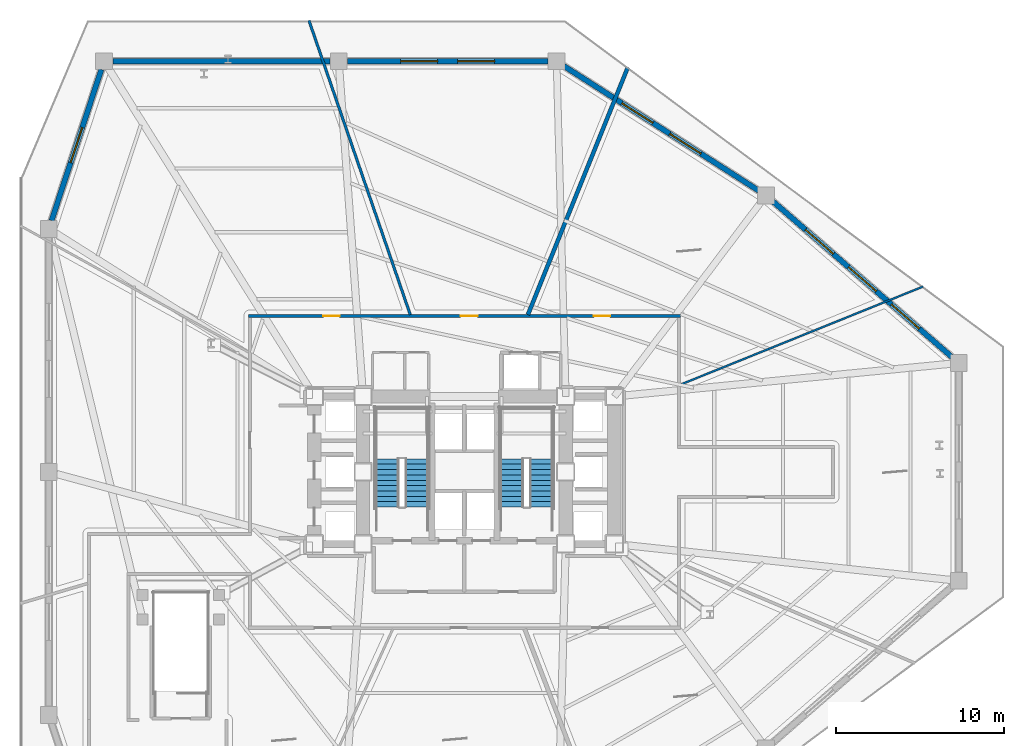
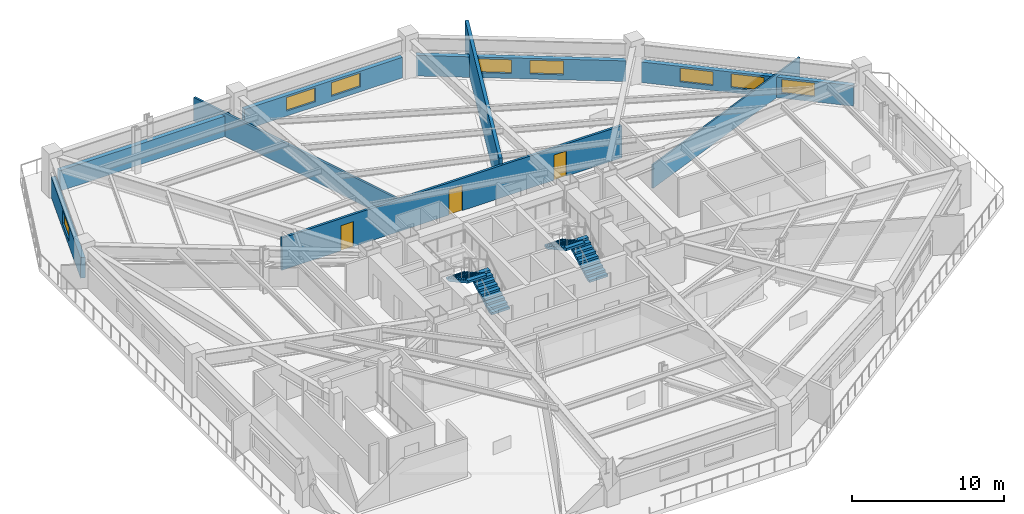
# One storey, part 6 of 10: 9 walls, 8 windows, 4 stair flights, 3 doors, 11 openings, 2 elements without a shape of their own.
"""IFC4 building model written with IfcOpenShell, lengths in metres."""

from ifc_helpers import new_model, si_unit, direction, frame, frame_2d, origin, place, context, subcontext, project, spatial, polyline, rectangle, outline, extrude, material, layer, layer_set, type_object, element, fill, aggregate, save


model = new_model("IFC4")

# Units and contexts
model_context = context("Model", 3, precision=1e-05, world=origin(), true_north=direction((0.0, 1.0)))
body_context = subcontext(model_context, "Body", "Model", "MODEL_VIEW")
ifc_project = project(units=[si_unit("LENGTHUNIT", "METRE"), si_unit("AREAUNIT", "SQUARE_METRE"), si_unit("VOLUMEUNIT", "CUBIC_METRE"), si_unit("PLANEANGLEUNIT", "RADIAN"), si_unit("MASSUNIT", "GRAM", prefix="KILO")], contexts=[model_context])

# Site, building, storey
site_placement = place(None, origin())
site = spatial("IfcSite", under=ifc_project, at=site_placement, CompositionType="ELEMENT")
building_placement = place(site_placement, origin())
building = spatial("IfcBuilding", under=site, at=building_placement, Name="Rocaltana Carrier Exchange", CompositionType="ELEMENT")
storey_placement = place(building_placement, frame((0.0, 0.0, 15.360107421875)))
storey = spatial("IfcBuildingStorey", under=building, at=storey_placement, Name="L05", CompositionType="ELEMENT", Elevation=15.360107421875)

# Wall
ifc_material_1 = material(Name="Double Acoustic Gypsum Partition", Category="gypsum")
ifc_layer_1 = layer(ifc_material_1, 0.159912109375)
ifc_layer_set_1 = layer_set([ifc_layer_1], Name="Double Acoustic Gypsum Partition")
wall_type_1 = type_object("IfcWallType", Name="Acoustic Studio Partition 160 EI60", PredefinedType="PARTITIONING", material=ifc_layer_set_1)
wall_1_placement = place(storey_placement, frame((-3.229736328125, 9.3798828125, 0.0), z_axis=(0.0, 0.0, 1.0), x_axis=(-0.325566886221, 0.945519012287, 0.0)))
element("IfcWall", 1, at=wall_1_placement, inside=storey, type_object=wall_type_1, Name="L05 Suite Divider Wall D7", PredefinedType="PARTITIONING", context=body_context, shape_type="SweptSolid", body=[
    extrude(rectangle(XDim=18.57177734375, YDim=0.159912109375, at=frame_2d((9.285888671875, 0.0))), origin(), (0.0, 0.0, 1.0), 1.892822265625),
])

# Wall, openings, doors
ifc_material_2 = material(Name="Gypsum & Steel Stud Partition", Category="steel")
ifc_layer_2 = layer(ifc_material_2, 0.179931640625)
ifc_layer_set_2 = layer_set([ifc_layer_2], Name="Gypsum & Steel Stud Partition")
wall_type_2 = type_object("IfcWallType", Name="Corridor Fire Partition 180 EI60", PredefinedType="PARTITIONING", material=ifc_layer_set_2)
wall_2_placement = place(storey_placement, frame((-12.889892578125, 9.300048828125, 0.0), z_axis=(0.0, 0.0, 1.0), x_axis=(1.0, 0.0, 0.0)))
wall_2 = element("IfcWall", 2, at=wall_2_placement, inside=storey, type_object=wall_type_2, Name="L05 Corridor Partition 8", PredefinedType="PARTITIONING", context=body_context, shape_type="SweptSolid", body=[
    extrude(rectangle(XDim=25.77978515625, YDim=0.179931640625, at=frame_2d((12.889892578125, 0.0))), origin(), (0.0, 0.0, 1.0), 2.5869140625),
])
opening_1_placement = place(wall_2_placement, frame((20.622802734375, 0.0, 0.0)))
opening_1 = element("IfcOpeningElement", 3, at=opening_1_placement, cuts=wall_2, Name="Opening D-RM098", PredefinedType="OPENING", context=body_context, shape_type="SweptSolid", body=[
    extrude(rectangle(XDim=0.9599609375, YDim=2.02001953125, at=frame_2d((0.47998046875, 1.010009765625))), frame((0.0, 0.099853515625, 0.0), z_axis=(0.0, -1.0, 0.0), x_axis=(1.0, 0.0, 0.0)), (0.0, 0.0, 1.0), 0.199951171875),
])
opening_2_placement = place(wall_2_placement, frame((12.660400390625, 0.0, 0.0)))
opening_2 = element("IfcOpeningElement", 4, at=opening_2_placement, cuts=wall_2, Name="Opening D-LB104", PredefinedType="OPENING", context=body_context, shape_type="SweptSolid", body=[
    extrude(rectangle(XDim=1.02001953125, YDim=2.02001953125, at=frame_2d((0.510009765625, 1.010009765625))), frame((0.0, 0.099853515625, 0.0), z_axis=(0.0, -1.0, 0.0), x_axis=(1.0, 0.0, 0.0)), (0.0, 0.0, 1.0), 0.199951171875),
])
opening_3_placement = place(wall_2_placement, frame((4.47802734375, 0.0, 0.0)))
opening_3 = element("IfcOpeningElement", 5, at=opening_3_placement, cuts=wall_2, Name="Opening D-RM098", PredefinedType="OPENING", context=body_context, shape_type="SweptSolid", body=[
    extrude(rectangle(XDim=0.9599609375, YDim=2.02001953125, at=frame_2d((0.47998046875, 1.010009765625))), frame((0.0, 0.099853515625, 0.0), z_axis=(0.0, -1.0, 0.0), x_axis=(1.0, 0.0, 0.0)), (0.0, 0.0, 1.0), 0.199951171875),
])
ifc_material_3 = material(Name="Powder-Coated Aluminium 6063-T6", Category="aluminium")
door_type_1 = type_object("IfcDoorType", Name="Laboratory Acoustic Door 1020x2020", OperationType="NOTDEFINED", PredefinedType="DOOR", material=ifc_material_3)
door_1_placement = place(opening_2_placement, origin())
door_1 = element("IfcDoor", 6, at=door_1_placement, inside=storey, type_object=door_type_1, Name="L05 Optical Switching Laboratory Entrance Door", OperationType="SINGLE_SWING_LEFT", OverallHeight=2.02001953125, OverallWidth=1.02001953125, PredefinedType="DOOR", context=body_context, shape_type="SweptSolid", body=[
    extrude(rectangle(XDim=1.02001953125, YDim=2.02001953125, at=frame_2d((0.510009765625, 1.010009765625))), frame((0.0, 0.02490234375, 0.0), z_axis=(0.0, -1.0, 0.0), x_axis=(1.0, 0.0, 0.0)), (0.0, 0.0, 1.0), 0.050048828125),
])
fill(opening_2, door_1)
ifc_material_4 = material(Name="Engineered Hardwood Timber", Category="wood")
door_type_2 = type_object("IfcDoorType", Name="Workspace Single Door 960x2020", OperationType="NOTDEFINED", PredefinedType="DOOR", material=ifc_material_4)
door_2_placement = place(opening_1_placement, origin())
door_2 = element("IfcDoor", 7, at=door_2_placement, inside=storey, type_object=door_type_2, Name="L05 Peering Conference Room Entrance Door", OperationType="SINGLE_SWING_RIGHT", OverallHeight=2.02001953125, OverallWidth=0.9599609375, PredefinedType="DOOR", context=body_context, shape_type="SweptSolid", body=[
    extrude(rectangle(XDim=0.9599609375, YDim=2.02001953125, at=frame_2d((0.47998046875, 1.010009765625))), frame((0.0, 0.02490234375, 0.0), z_axis=(0.0, -1.0, 0.0), x_axis=(1.0, 0.0, 0.0)), (0.0, 0.0, 1.0), 0.050048828125),
])
fill(opening_1, door_2)
door_3_placement = place(opening_3_placement, origin())
door_3 = element("IfcDoor", 8, at=door_3_placement, inside=storey, type_object=door_type_2, Name="L05 Client Reception Foyer Entrance Door", OperationType="SINGLE_SWING_RIGHT", OverallHeight=2.02001953125, OverallWidth=0.9599609375, PredefinedType="DOOR", context=body_context, shape_type="SweptSolid", body=[
    extrude(rectangle(XDim=0.9599609375, YDim=2.02001953125, at=frame_2d((0.47998046875, 1.010009765625))), frame((0.0, 0.02490234375, 0.0), z_axis=(0.0, -1.0, 0.0), x_axis=(1.0, 0.0, 0.0)), (0.0, 0.0, 1.0), 0.050048828125),
])
fill(opening_3, door_3)

# Walls
ifc_material_5 = material(Name="Aluminium 6063-T6 & Acoustic Glass", Category="aluminium")
ifc_layer_3 = layer(ifc_material_5, 0.114990234375)
ifc_layer_set_3 = layer_set([ifc_layer_3], Name="Aluminium 6063-T6 & Acoustic Glass")
wall_type_3 = type_object("IfcWallType", Name="Demountable Glazed Lab Partition 115", PredefinedType="MOVABLE", material=ifc_layer_set_3)
wall_3_placement = place(storey_placement, frame((12.8798828125, 5.203857421875, 0.0), z_axis=(0.0, 0.0, 1.0), x_axis=(0.927184819219, 0.374604205809, 0.0)))
element("IfcWall", 9, at=wall_3_placement, inside=storey, type_object=wall_type_3, Name="L05 Suite Divider Wall D5", PredefinedType="MOVABLE", context=body_context, shape_type="SweptSolid", body=[
    extrude(rectangle(XDim=15.64208984375, YDim=0.114990234375, at=frame_2d((7.821044921875, 0.0))), origin(), (0.0, 0.0, 1.0), 1.892822265625),
])
ifc_material_6 = material(Name="Acoustic Calcium Silicate Partition", Category="gypsum")
ifc_layer_4 = layer(ifc_material_6, 0.239990234375)
ifc_layer_set_4 = layer_set([ifc_layer_4], Name="Acoustic Calcium Silicate Partition")
wall_type_4 = type_object("IfcWallType", Name="Heavy Lab Partition 240 EI90", PredefinedType="PARTITIONING", material=ifc_layer_set_4)
wall_4_placement = place(storey_placement, frame((3.789794921875, 9.3798828125, 0.0), z_axis=(0.0, 0.0, 1.0), x_axis=(0.374596599421, 0.92718789234, 0.0)))
element("IfcWall", 10, at=wall_4_placement, inside=storey, type_object=wall_type_4, Name="L05 Suite Divider Wall D6", PredefinedType="PARTITIONING", context=body_context, shape_type="SweptSolid", body=[
    extrude(rectangle(XDim=15.9287109375, YDim=0.239990234375, at=frame_2d((7.96435546875, 0.0))), origin(), (0.0, 0.0, 1.0), 3.072998046875),
])

# Wall, openings, windows
ifc_material_7 = material(Name="Precast sandstone concrete C45/55", Category="masonry")
ifc_layer_5 = layer(ifc_material_7, 0.320068359375)
ifc_layer_set_5 = layer_set([ifc_layer_5], Name="Precast sandstone concrete C45/55")
wall_type_5 = type_object("IfcWallType", Name="Precast Sandstone Facade Wall 320", PredefinedType="SOLIDWALL", material=ifc_layer_set_5)
wall_5_placement = place(storey_placement, frame((18.392333984375, 16.15869140625, 0.0), z_axis=(0.0, 0.0, 1.0), x_axis=(0.754615886195, -0.656166796098, 0.0)))
wall_5 = element("IfcWall", 11, at=wall_5_placement, inside=storey, type_object=wall_type_5, Name="L05 Sandstone Facade Wall B06", PredefinedType="SOLIDWALL", context=body_context, shape_type="SweptSolid", body=[
    extrude(rectangle(XDim=14.19970703125, YDim=0.320068359375, at=frame_2d((7.099853515625, 0.0))), origin(), (0.0, 0.0, 1.0), 1.64990234375),
])
opening_4_placement = place(wall_5_placement, frame((2.599853515625, 0.0, 0.39990234375)))
opening_4 = element("IfcOpeningElement", 12, at=opening_4_placement, cuts=wall_5, Name="Opening W-04", PredefinedType="OPENING", context=body_context, shape_type="SweptSolid", body=[
    extrude(rectangle(XDim=2.199951171875, YDim=1.10009765625, at=frame_2d((1.10009765625, 0.550048828125))), frame((0.0, 0.169921875, 0.0), z_axis=(0.0, -1.0, 0.0), x_axis=(1.0, 0.0, 0.0)), (0.0, 0.0, 1.0), 0.340087890625),
])
opening_5_placement = place(wall_5_placement, frame((6.0, 0.0, 0.39990234375)))
opening_5 = element("IfcOpeningElement", 13, at=opening_5_placement, cuts=wall_5, Name="Opening W-04", PredefinedType="OPENING", context=body_context, shape_type="SweptSolid", body=[
    extrude(rectangle(XDim=2.199951171875, YDim=1.10009765625, at=frame_2d((1.10009765625, 0.550048828125))), frame((0.0, 0.169921875, 0.0), z_axis=(0.0, -1.0, 0.0), x_axis=(1.0, 0.0, 0.0)), (0.0, 0.0, 1.0), 0.340087890625),
])
opening_6_placement = place(wall_5_placement, frame((9.39990234375, 0.0, 0.39990234375)))
opening_6 = element("IfcOpeningElement", 14, at=opening_6_placement, cuts=wall_5, Name="Opening W-04", PredefinedType="OPENING", context=body_context, shape_type="SweptSolid", body=[
    extrude(rectangle(XDim=2.199951171875, YDim=1.10009765625, at=frame_2d((1.10009765625, 0.550048828125))), frame((0.0, 0.169921875, 0.0), z_axis=(0.0, -1.0, 0.0), x_axis=(1.0, 0.0, 0.0)), (0.0, 0.0, 1.0), 0.340087890625),
])
ifc_material_8 = material(Name="Aluminium 6063-T6 & Double Glazing", Category="aluminium")
window_type = type_object("IfcWindowType", Name="Podium Clerestory Window 2200x1100", PartitioningType="SINGLE_PANEL", PredefinedType="WINDOW", material=ifc_material_8)
window_1_placement = place(opening_4_placement, origin())
window_1 = element("IfcWindow", 15, at=window_1_placement, inside=storey, type_object=window_type, Name="L05 Punched Window B06-1", OverallHeight=1.10009765625, OverallWidth=2.199951171875, PartitioningType="SINGLE_PANEL", PredefinedType="WINDOW", context=body_context, shape_type="SweptSolid", body=[
    extrude(rectangle(XDim=2.199951171875, YDim=1.10009765625, at=frame_2d((1.10009765625, 0.550048828125))), frame((0.0, 0.030029296875, 0.0), z_axis=(0.0, -1.0, 0.0), x_axis=(1.0, 0.0, 0.0)), (0.0, 0.0, 1.0), 0.06005859375),
])
fill(opening_4, window_1)
window_2_placement = place(opening_5_placement, origin())
window_2 = element("IfcWindow", 16, at=window_2_placement, inside=storey, type_object=window_type, Name="L05 Punched Window B06-2", OverallHeight=1.10009765625, OverallWidth=2.199951171875, PartitioningType="SINGLE_PANEL", PredefinedType="WINDOW", context=body_context, shape_type="SweptSolid", body=[
    extrude(rectangle(XDim=2.199951171875, YDim=1.10009765625, at=frame_2d((1.10009765625, 0.550048828125))), frame((0.0, 0.030029296875, 0.0), z_axis=(0.0, -1.0, 0.0), x_axis=(1.0, 0.0, 0.0)), (0.0, 0.0, 1.0), 0.06005859375),
])
fill(opening_5, window_2)
window_3_placement = place(opening_6_placement, origin())
window_3 = element("IfcWindow", 17, at=window_3_placement, inside=storey, type_object=window_type, Name="L05 Punched Window B06-3", OverallHeight=1.10009765625, OverallWidth=2.199951171875, PartitioningType="SINGLE_PANEL", PredefinedType="WINDOW", context=body_context, shape_type="SweptSolid", body=[
    extrude(rectangle(XDim=2.199951171875, YDim=1.10009765625, at=frame_2d((1.10009765625, 0.550048828125))), frame((0.0, 0.030029296875, 0.0), z_axis=(0.0, -1.0, 0.0), x_axis=(1.0, 0.0, 0.0)), (0.0, 0.0, 1.0), 0.06005859375),
])
fill(opening_6, window_3)

wall_6_placement = place(storey_placement, frame((5.93798828125, 24.2197265625, 0.0), z_axis=(0.0, 0.0, 1.0), x_axis=(0.842268830443, -0.539057712368, 0.0)))
wall_6 = element("IfcWall", 18, at=wall_6_placement, inside=storey, type_object=wall_type_5, Name="L05 Sandstone Facade Wall B07", PredefinedType="SOLIDWALL", context=body_context, shape_type="SweptSolid", body=[
    extrude(rectangle(XDim=13.80078125, YDim=0.320068359375, at=frame_2d((6.900390625, 0.0))), origin(), (0.0, 0.0, 1.0), 1.64990234375),
])
opening_7_placement = place(wall_6_placement, frame((4.100341796875, 0.0, 0.39990234375)))
opening_7 = element("IfcOpeningElement", 19, at=opening_7_placement, cuts=wall_6, Name="Opening W-04", PredefinedType="OPENING", context=body_context, shape_type="SweptSolid", body=[
    extrude(rectangle(XDim=2.199951171875, YDim=1.10009765625, at=frame_2d((1.10009765625, 0.550048828125))), frame((0.0, 0.169921875, 0.0), z_axis=(0.0, -1.0, 0.0), x_axis=(1.0, 0.0, 0.0)), (0.0, 0.0, 1.0), 0.340087890625),
])
opening_8_placement = place(wall_6_placement, frame((7.50048828125, 0.0, 0.39990234375)))
opening_8 = element("IfcOpeningElement", 20, at=opening_8_placement, cuts=wall_6, Name="Opening W-04", PredefinedType="OPENING", context=body_context, shape_type="SweptSolid", body=[
    extrude(rectangle(XDim=2.199951171875, YDim=1.10009765625, at=frame_2d((1.10009765625, 0.550048828125))), frame((0.0, 0.169921875, 0.0), z_axis=(0.0, -1.0, 0.0), x_axis=(1.0, 0.0, 0.0)), (0.0, 0.0, 1.0), 0.340087890625),
])
window_4_placement = place(opening_7_placement, origin())
window_4 = element("IfcWindow", 21, at=window_4_placement, inside=storey, type_object=window_type, Name="L05 Punched Window B07-1", OverallHeight=1.10009765625, OverallWidth=2.199951171875, PartitioningType="SINGLE_PANEL", PredefinedType="WINDOW", context=body_context, shape_type="SweptSolid", body=[
    extrude(rectangle(XDim=2.199951171875, YDim=1.10009765625, at=frame_2d((1.10009765625, 0.550048828125))), frame((0.0, 0.030029296875, 0.0), z_axis=(0.0, -1.0, 0.0), x_axis=(1.0, 0.0, 0.0)), (0.0, 0.0, 1.0), 0.06005859375),
])
fill(opening_7, window_4)
window_5_placement = place(opening_8_placement, origin())
window_5 = element("IfcWindow", 22, at=window_5_placement, inside=storey, type_object=window_type, Name="L05 Punched Window B07-2", OverallHeight=1.10009765625, OverallWidth=2.199951171875, PartitioningType="SINGLE_PANEL", PredefinedType="WINDOW", context=body_context, shape_type="SweptSolid", body=[
    extrude(rectangle(XDim=2.199951171875, YDim=1.10009765625, at=frame_2d((1.10009765625, 0.550048828125))), frame((0.0, 0.030029296875, 0.0), z_axis=(0.0, -1.0, 0.0), x_axis=(1.0, 0.0, 0.0)), (0.0, 0.0, 1.0), 0.06005859375),
])
fill(opening_8, window_5)

wall_7_placement = place(storey_placement, frame((-6.97998046875, 24.5, 0.0), z_axis=(0.0, 0.0, 1.0), x_axis=(1.0, 0.0, 0.0)))
wall_7 = element("IfcWall", 23, at=wall_7_placement, inside=storey, type_object=wall_type_5, Name="L05 Sandstone Facade Wall B08", PredefinedType="SOLIDWALL", context=body_context, shape_type="SweptSolid", body=[
    extrude(rectangle(XDim=11.9599609375, YDim=0.320068359375, at=frame_2d((5.97998046875, 0.0))), origin(), (0.0, 0.0, 1.0), 1.64990234375),
])
opening_9_placement = place(wall_7_placement, frame((3.179931640625, 0.0, 0.39990234375)))
opening_9 = element("IfcOpeningElement", 24, at=opening_9_placement, cuts=wall_7, Name="Opening W-04", PredefinedType="OPENING", context=body_context, shape_type="SweptSolid", body=[
    extrude(rectangle(XDim=2.199951171875, YDim=1.10009765625, at=frame_2d((1.10009765625, 0.550048828125))), frame((0.0, 0.169921875, 0.0), z_axis=(0.0, -1.0, 0.0), x_axis=(1.0, 0.0, 0.0)), (0.0, 0.0, 1.0), 0.340087890625),
])
opening_10_placement = place(wall_7_placement, frame((6.580078125, 0.0, 0.39990234375)))
opening_10 = element("IfcOpeningElement", 25, at=opening_10_placement, cuts=wall_7, Name="Opening W-04", PredefinedType="OPENING", context=body_context, shape_type="SweptSolid", body=[
    extrude(rectangle(XDim=2.199951171875, YDim=1.10009765625, at=frame_2d((1.10009765625, 0.550048828125))), frame((0.0, 0.169921875, 0.0), z_axis=(0.0, -1.0, 0.0), x_axis=(1.0, 0.0, 0.0)), (0.0, 0.0, 1.0), 0.340087890625),
])
window_6_placement = place(opening_9_placement, origin())
window_6 = element("IfcWindow", 26, at=window_6_placement, inside=storey, type_object=window_type, Name="L05 Punched Window B08-1", OverallHeight=1.10009765625, OverallWidth=2.199951171875, PartitioningType="SINGLE_PANEL", PredefinedType="WINDOW", context=body_context, shape_type="SweptSolid", body=[
    extrude(rectangle(XDim=2.199951171875, YDim=1.10009765625, at=frame_2d((1.10009765625, 0.550048828125))), frame((0.0, 0.030029296875, 0.0), z_axis=(0.0, -1.0, 0.0), x_axis=(1.0, 0.0, 0.0)), (0.0, 0.0, 1.0), 0.06005859375),
])
fill(opening_9, window_6)
window_7_placement = place(opening_10_placement, origin())
window_7 = element("IfcWindow", 27, at=window_7_placement, inside=storey, type_object=window_type, Name="L05 Punched Window B08-2", OverallHeight=1.10009765625, OverallWidth=2.199951171875, PartitioningType="SINGLE_PANEL", PredefinedType="WINDOW", context=body_context, shape_type="SweptSolid", body=[
    extrude(rectangle(XDim=2.199951171875, YDim=1.10009765625, at=frame_2d((1.10009765625, 0.550048828125))), frame((0.0, 0.030029296875, 0.0), z_axis=(0.0, -1.0, 0.0), x_axis=(1.0, 0.0, 0.0)), (0.0, 0.0, 1.0), 0.06005859375),
])
fill(opening_10, window_7)

# Wall
wall_8_placement = place(storey_placement, frame((-20.97998046875, 24.5, 0.0), z_axis=(0.0, 0.0, 1.0), x_axis=(1.0, 0.0, 0.0)))
element("IfcWall", 28, at=wall_8_placement, inside=storey, type_object=wall_type_5, Name="L05 Sandstone Facade Wall B09", PredefinedType="SOLIDWALL", context=body_context, shape_type="SweptSolid", body=[
    extrude(rectangle(XDim=12.9599609375, YDim=0.320068359375, at=frame_2d((6.47998046875, 0.0))), origin(), (0.0, 0.0, 1.0), 1.64990234375),
])

# Wall, opening, window
wall_9_placement = place(storey_placement, frame((-24.636962890625, 14.993896484375, 0.0), z_axis=(0.0, 0.0, 1.0), x_axis=(0.313363070681, 0.949633395544, 0.0)))
wall_9 = element("IfcWall", 29, at=wall_9_placement, inside=storey, type_object=wall_type_5, Name="L05 Sandstone Facade Wall B10", PredefinedType="SOLIDWALL", context=body_context, shape_type="SweptSolid", body=[
    extrude(rectangle(XDim=9.490234375, YDim=0.320068359375, at=frame_2d((4.7451171875, 0.0))), origin(), (0.0, 0.0, 1.0), 1.64990234375),
])
opening_11_placement = place(wall_9_placement, frame((3.645263671875, 0.0, 0.39990234375)))
opening_11 = element("IfcOpeningElement", 30, at=opening_11_placement, cuts=wall_9, Name="Opening W-04", PredefinedType="OPENING", context=body_context, shape_type="SweptSolid", body=[
    extrude(rectangle(XDim=2.199951171875, YDim=1.10009765625, at=frame_2d((1.10009765625, 0.550048828125))), frame((0.0, 0.169921875, 0.0), z_axis=(0.0, -1.0, 0.0), x_axis=(1.0, 0.0, 0.0)), (0.0, 0.0, 1.0), 0.340087890625),
])
window_8_placement = place(opening_11_placement, origin())
window_8 = element("IfcWindow", 31, at=window_8_placement, inside=storey, type_object=window_type, Name="L05 Punched Window B10-1", OverallHeight=1.10009765625, OverallWidth=2.199951171875, PartitioningType="SINGLE_PANEL", PredefinedType="WINDOW", context=body_context, shape_type="SweptSolid", body=[
    extrude(rectangle(XDim=2.199951171875, YDim=1.10009765625, at=frame_2d((1.10009765625, 0.550048828125))), frame((0.0, 0.030029296875, 0.0), z_axis=(0.0, -1.0, 0.0), x_axis=(1.0, 0.0, 0.0)), (0.0, 0.0, 1.0), 0.06005859375),
])
fill(opening_11, window_8)

# Stair, stair flights
ifc_material_9 = material(Name="Precast concrete C45/55", Category="concrete")
stair_type = type_object("IfcStairType", Name="Standard Dog-Leg Stair 160", PredefinedType="HALF_TURN_STAIR", material=ifc_material_9)
stair_1_placement = place(storey_placement, origin())
stair_1 = element("IfcStair", 32, at=stair_1_placement, inside=storey, type_object=stair_type, Name="L05 Core West Exit Stair ST-1", PredefinedType="HALF_TURN_STAIR")
ifc_material_10 = material(Name="Precast concrete C45/55", Category="concrete")
stair_flight_type = type_object("IfcStairFlightType", Name="Precast Stair Flight 160", PredefinedType="STRAIGHT", material=ifc_material_10)
stair_flight_1_placement = place(storey_placement, frame((-2.840087890625, -2.10009765625, 0.0), z_axis=(0.0, 0.0, 1.0), x_axis=(0.0, 1.0, 0.0)))
stair_flight_1 = element("IfcStairFlight", 33, at=stair_flight_1_placement, type_object=stair_flight_type, Name="ST-1 flight 1", NumberOfRisers=10, NumberOfTreads=9, PredefinedType="STRAIGHT", RiserHeight=0.176, TreadLength=0.32, context=body_context, shape_type="SweptSolid", body=[
    extrude(outline(polyline([(0.0, 0.0), (0.0, 0.176025390625), (0.320068359375, 0.176025390625), (0.320068359375, 0.35205078125), (0.639892578125, 0.35205078125), (0.639892578125, 0.528076171875), (0.9599609375, 0.528076171875), (0.9599609375, 0.7041015625), (1.280029296875, 0.7041015625), (1.280029296875, 0.8798828125), (1.60009765625, 0.8798828125), (1.60009765625, 1.055908203125), (1.919921875, 1.055908203125), (1.919921875, 1.23193359375), (2.239990234375, 1.23193359375), (2.239990234375, 1.407958984375), (2.56005859375, 1.407958984375), (2.56005859375, 1.583984375), (2.8798828125, 1.583984375), (2.8798828125, 1.760009765625), (2.8798828125, 1.401611328125), (0.331787109375, 0.0), (0.0, 0.0)])), frame((0.0, 0.699951171875, 0.0), z_axis=(0.0, -1.0, 0.0), x_axis=(1.0, 0.0, 0.0)), (0.0, 0.0, 1.0), 1.39990234375),
])
stair_flight_2_placement = place(storey_placement, frame((-4.60009765625, 0.780029296875, 1.760009765625), z_axis=(0.0, 0.0, 1.0), x_axis=(0.0, -1.0, 0.0)))
stair_flight_2 = element("IfcStairFlight", 34, at=stair_flight_2_placement, type_object=stair_flight_type, Name="ST-1 flight 2", NumberOfRisers=10, NumberOfTreads=9, PredefinedType="STRAIGHT", RiserHeight=0.176, TreadLength=0.32, context=body_context, shape_type="SweptSolid", body=[
    extrude(outline(polyline([(0.0, 0.0), (0.0, 0.176025390625), (0.320068359375, 0.176025390625), (0.320068359375, 0.35205078125), (0.639892578125, 0.35205078125), (0.639892578125, 0.528076171875), (0.9599609375, 0.528076171875), (0.9599609375, 0.7041015625), (1.280029296875, 0.7041015625), (1.280029296875, 0.8798828125), (1.60009765625, 0.8798828125), (1.60009765625, 1.055908203125), (1.919921875, 1.055908203125), (1.919921875, 1.23193359375), (2.239990234375, 1.23193359375), (2.239990234375, 1.407958984375), (2.56005859375, 1.407958984375), (2.56005859375, 1.583984375), (2.8798828125, 1.583984375), (2.8798828125, 1.760009765625), (2.8798828125, 1.401611328125), (0.331787109375, 0.0), (0.0, 0.0)])), frame((0.0, 0.699951171875, 0.0), z_axis=(0.0, -1.0, 0.0), x_axis=(1.0, 0.0, 0.0)), (0.0, 0.0, 1.0), 1.39990234375),
])
aggregate(stair_1, [stair_flight_1, stair_flight_2])

stair_2_placement = place(storey_placement, origin())
stair_2 = element("IfcStair", 35, at=stair_2_placement, inside=storey, type_object=stair_type, Name="L05 Core East Exit Stair ST-2", PredefinedType="HALF_TURN_STAIR")
stair_flight_3_placement = place(storey_placement, frame((4.60009765625, -2.10009765625, 0.0), z_axis=(0.0, 0.0, 1.0), x_axis=(0.0, 1.0, 0.0)))
stair_flight_3 = element("IfcStairFlight", 36, at=stair_flight_3_placement, type_object=stair_flight_type, Name="ST-2 flight 1", NumberOfRisers=10, NumberOfTreads=9, PredefinedType="STRAIGHT", RiserHeight=0.176, TreadLength=0.32, context=body_context, shape_type="SweptSolid", body=[
    extrude(outline(polyline([(0.0, 0.0), (0.0, 0.176025390625), (0.320068359375, 0.176025390625), (0.320068359375, 0.35205078125), (0.639892578125, 0.35205078125), (0.639892578125, 0.528076171875), (0.9599609375, 0.528076171875), (0.9599609375, 0.7041015625), (1.280029296875, 0.7041015625), (1.280029296875, 0.8798828125), (1.60009765625, 0.8798828125), (1.60009765625, 1.055908203125), (1.919921875, 1.055908203125), (1.919921875, 1.23193359375), (2.239990234375, 1.23193359375), (2.239990234375, 1.407958984375), (2.56005859375, 1.407958984375), (2.56005859375, 1.583984375), (2.8798828125, 1.583984375), (2.8798828125, 1.760009765625), (2.8798828125, 1.401611328125), (0.331787109375, 0.0), (0.0, 0.0)])), frame((0.0, 0.699951171875, 0.0), z_axis=(0.0, -1.0, 0.0), x_axis=(1.0, 0.0, 0.0)), (0.0, 0.0, 1.0), 1.39990234375),
])
stair_flight_4_placement = place(storey_placement, frame((2.840087890625, 0.780029296875, 1.760009765625), z_axis=(0.0, 0.0, 1.0), x_axis=(0.0, -1.0, 0.0)))
stair_flight_4 = element("IfcStairFlight", 37, at=stair_flight_4_placement, type_object=stair_flight_type, Name="ST-2 flight 2", NumberOfRisers=10, NumberOfTreads=9, PredefinedType="STRAIGHT", RiserHeight=0.176, TreadLength=0.32, context=body_context, shape_type="SweptSolid", body=[
    extrude(outline(polyline([(0.0, 0.0), (0.0, 0.176025390625), (0.320068359375, 0.176025390625), (0.320068359375, 0.35205078125), (0.639892578125, 0.35205078125), (0.639892578125, 0.528076171875), (0.9599609375, 0.528076171875), (0.9599609375, 0.7041015625), (1.280029296875, 0.7041015625), (1.280029296875, 0.8798828125), (1.60009765625, 0.8798828125), (1.60009765625, 1.055908203125), (1.919921875, 1.055908203125), (1.919921875, 1.23193359375), (2.239990234375, 1.23193359375), (2.239990234375, 1.407958984375), (2.56005859375, 1.407958984375), (2.56005859375, 1.583984375), (2.8798828125, 1.583984375), (2.8798828125, 1.760009765625), (2.8798828125, 1.401611328125), (0.331787109375, 0.0), (0.0, 0.0)])), frame((0.0, 0.699951171875, 0.0), z_axis=(0.0, -1.0, 0.0), x_axis=(1.0, 0.0, 0.0)), (0.0, 0.0, 1.0), 1.39990234375),
])
aggregate(stair_2, [stair_flight_3, stair_flight_4])

save(model, "model.ifc")
